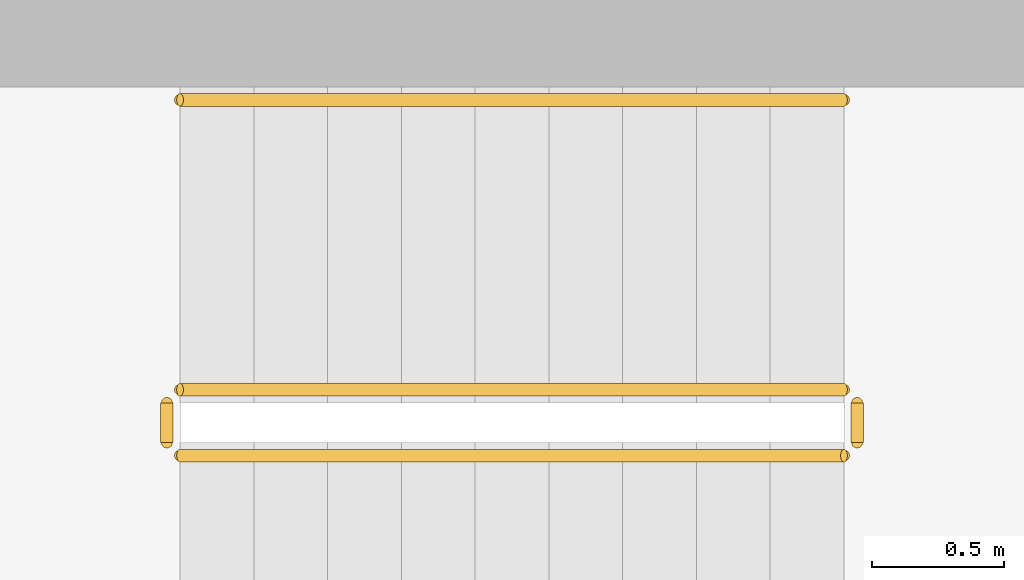
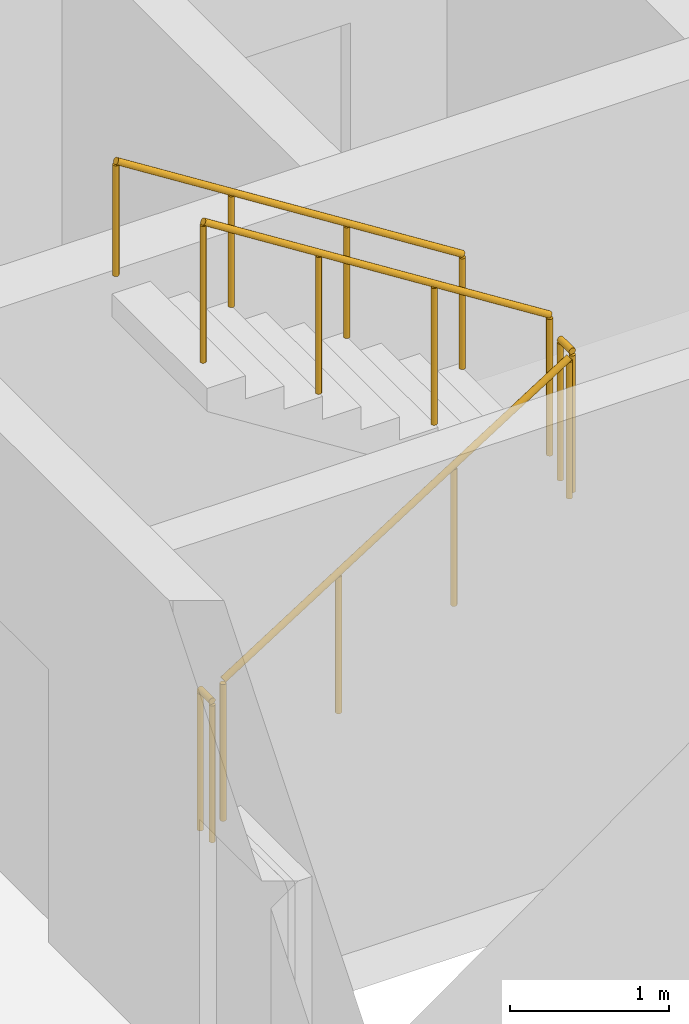
# One storey, part 15 of 17: 5 railings.
"""IFC4 building model written with IfcOpenShell, lengths in metres."""

import ifcopenshell
import ifcopenshell.guid

model = None  # the IFC model being written
_history = None  # IfcOwnerHistory: only IFC2X3 demands one
_inside = {}  # id of a spatial element -> (the spatial element, [elements in it])
_under = {}  # id of a project, library or spatial element -> (it, [spatial elements below it])
_declared = {}  # id of a project -> (the project, [libraries it declares])
_typed = {}  # id of a type object -> (the type object, [elements of that type])
_made_of = {}  # id of a material, layer set ... -> (it, [elements and type objects made of it])


def new_model(schema):
    """Start an empty IFC model of exactly this schema.

    Asked for "IFC4X3", IfcOpenShell would pick the latest addendum, in which some entities
    have other attributes; the version numbers below select the first issue.
    IFC2X3 requires an IfcOwnerHistory on every rooted entity: one is made here for all.
    """
    global model, _history
    if schema == "IFC4X3":
        model = ifcopenshell.file(schema_version=(4, 3, 0, 0))
    else:
        model = ifcopenshell.file(schema=schema)
    _inside.clear()
    _under.clear()
    _declared.clear()
    _typed.clear()
    _made_of.clear()
    _history = None
    if model.schema == "IFC2X3":
        org = make("IfcOrganization", Name="unknown")
        user = make(
            "IfcPersonAndOrganization",
            ThePerson=make("IfcPerson", FamilyName="unknown"),
            TheOrganization=org,
        )
        app = make(
            "IfcApplication",
            ApplicationDeveloper=org,
            Version="unknown",
            ApplicationFullName="unknown",
            ApplicationIdentifier="unknown",
        )
        _history = make(
            "IfcOwnerHistory",
            OwningUser=user,
            OwningApplication=app,
            ChangeAction="ADDED",
            CreationDate=0,
        )
    return model


def make(cls, **values):
    """One entity of the class cls with the attributes given. An attribute that is None is left unset."""
    return model.create_entity(
        cls, **{name: value for name, value in values.items() if value is not None}
    )


def rooted(cls, **values):
    """An entity with a GlobalId (a new one), such as an element, a storey or a relation."""
    return make(cls, GlobalId=ifcopenshell.guid.new(), OwnerHistory=_history, **values)


def si_unit(unit_type, name, prefix=None):
    """IfcSIUnit, for example si_unit("LENGTHUNIT", "METRE", prefix="MILLI")."""
    return make("IfcSIUnit", UnitType=unit_type, Prefix=prefix, Name=name)


def assignment(units):
    """IfcUnitAssignment: the units of a project."""
    return None if units is None else make("IfcUnitAssignment", Units=units)


def point(xyz):
    """IfcCartesianPoint."""
    return None if xyz is None else make("IfcCartesianPoint", Coordinates=xyz)


def direction(xyz):
    """IfcDirection."""
    return None if xyz is None else make("IfcDirection", DirectionRatios=xyz)


def frame(location, z_axis=None, x_axis=None):
    """IfcAxis2Placement3D, a coordinate frame: its origin and axes. An axis left out is left unset."""
    return make(
        "IfcAxis2Placement3D",
        Location=point(location),
        Axis=direction(z_axis),
        RefDirection=direction(x_axis),
    )


def frame_2d(location, x_axis=None):
    """IfcAxis2Placement2D, a coordinate frame in the plane: its origin and x axis."""
    return make(
        "IfcAxis2Placement2D", Location=point(location), RefDirection=direction(x_axis)
    )


def origin():
    """The frame at (0, 0, 0) with its axes left unset."""
    return frame((0.0, 0.0, 0.0))


def origin_2d():
    """The frame at (0, 0) in the plane with its x axis left unset."""
    return frame_2d((0.0, 0.0))


def place(relative_to, where):
    """IfcLocalPlacement: puts the frame where relative to a parent placement (None: the world)."""
    return make(
        "IfcLocalPlacement", PlacementRelTo=relative_to, RelativePlacement=where
    )


def context(
    kind, dimensions, precision=None, world=None, true_north=None, identifier=None
):
    """IfcGeometricRepresentationContext, for example the 3D "Model" context."""
    return make(
        "IfcGeometricRepresentationContext",
        ContextIdentifier=identifier,
        ContextType=kind,
        CoordinateSpaceDimension=dimensions,
        Precision=precision,
        WorldCoordinateSystem=world,
        TrueNorth=true_north,
    )


def subcontext(parent, identifier, kind, view, scale=None):
    """IfcGeometricRepresentationSubContext, for example "Body" below "Model"."""
    return make(
        "IfcGeometricRepresentationSubContext",
        ContextIdentifier=identifier,
        ContextType=kind,
        ParentContext=parent,
        TargetScale=scale,
        TargetView=view,
    )


def project(units=None, contexts=None):
    """IfcProject with its units and contexts."""
    return rooted(
        "IfcProject",
        Name="project",
        RepresentationContexts=contexts,
        UnitsInContext=assignment(units),
    )


def spatial(cls, under=None, at=None, **own):
    """A site, building, storey or space (cls), placed at a placement, below another one or the project."""
    s = rooted(cls, ObjectPlacement=at, **own)
    if under is not None:
        _under.setdefault(under.id(), (under, []))[1].append(s)
    return s


def profile(cls, at=None, kind="AREA", **sizes):
    """A parametric profile (cls). Its sizes go by their IFC names, for example OverallWidth=200.0."""
    return make(cls, ProfileType=kind, Position=at, **sizes)


def circle(**sizes):
    """IfcCircleProfileDef."""
    return profile("IfcCircleProfileDef", **sizes)


def extrude(swept, where, along, depth):
    """IfcExtrudedAreaSolid: the profile swept, set in the frame where, extruded along a direction by depth."""
    return make(
        "IfcExtrudedAreaSolid",
        SweptArea=swept,
        Position=where,
        ExtrudedDirection=direction(along),
        Depth=depth,
    )


def shape(context_of_items, identifier, shape_type, items):
    """IfcShapeRepresentation: the items that make up one representation, for example the "Body"."""
    return make(
        "IfcShapeRepresentation",
        ContextOfItems=context_of_items,
        RepresentationIdentifier=identifier,
        RepresentationType=shape_type,
        Items=items,
    )


def material(Name=None, Category=None):
    """IfcMaterial."""
    return make("IfcMaterial", Name=Name, Category=Category)


def made_of(thing, what):
    """Note that an element or type object is made of a material, layer set ...; save() writes the relation."""
    if what is not None:
        _made_of.setdefault(what.id(), (what, []))[1].append(thing)
    return thing


def type_object(cls, material=None, **own):
    """A type object (cls), such as IfcWallType, which elements share."""
    return made_of(rooted(cls, **own), material)


def element(
    cls,
    number,
    at=None,
    inside=None,
    cuts=None,
    type_object=None,
    material=None,
    context=None,
    identifier="Body",
    shape_type=None,
    held_by="IfcProductDefinitionShape",
    body=None,
    shapes=None,
    **own,
):
    """One element of the class cls, such as IfcWall. Its Tag is "e" and its number.

    at: its placement. inside: the storey or other place that contains it. cuts: it is an
    opening in that element (IfcRelVoidsElement). A single representation is given by context,
    identifier, shape_type and body (its items); several are given by shapes. held_by: the class
    of the entity that holds the representations. save() writes the other relations.
    """
    e = rooted(cls, Tag="e%d" % number, ObjectPlacement=at, **own)
    if body is not None:
        shapes = [shape(context, identifier, shape_type, body)]
    if shapes is not None:
        e.Representation = make(held_by, Representations=shapes)
    if inside is not None:
        _inside.setdefault(inside.id(), (inside, []))[1].append(e)
    if cuts is not None:
        rooted(
            "IfcRelVoidsElement", RelatingBuildingElement=cuts, RelatedOpeningElement=e
        )
    if type_object is not None:
        _typed.setdefault(type_object.id(), (type_object, []))[1].append(e)
    return made_of(e, material)


def aggregate(whole, parts):
    """IfcRelAggregates: a whole, such as a stair, and the parts it consists of."""
    return rooted("IfcRelAggregates", RelatingObject=whole, RelatedObjects=parts)


def save(model, path):
    """Write the relations noted so far, then the file.

    IfcRelAggregates (storeys below a building ...), IfcRelContainedInSpatialStructure (elements
    in a storey), IfcRelDefinesByType, IfcRelAssociatesMaterial and IfcRelDeclares: one each for
    every whole, place, type object, material and project.
    """
    for whole, parts in _under.values():
        aggregate(whole, parts)
    for where, things in _inside.values():
        rooted(
            "IfcRelContainedInSpatialStructure",
            RelatedElements=things,
            RelatingStructure=where,
        )
    for kind, things in _typed.values():
        rooted("IfcRelDefinesByType", RelatedObjects=things, RelatingType=kind)
    for what, things in _made_of.values():
        rooted("IfcRelAssociatesMaterial", RelatedObjects=things, RelatingMaterial=what)
    for by, libraries in _declared.values():
        rooted("IfcRelDeclares", RelatingContext=by, RelatedDefinitions=libraries)
    model.write(path)


model = new_model("IFC4")

# Units and contexts
model_context = context("Model", 3, precision=1e-05, world=origin(), true_north=direction((0.0, 1.0)))
body_context = subcontext(model_context, "Body", "Model", "MODEL_VIEW")
ifc_project = project(units=[si_unit("LENGTHUNIT", "METRE"), si_unit("AREAUNIT", "SQUARE_METRE"), si_unit("VOLUMEUNIT", "CUBIC_METRE"), si_unit("PLANEANGLEUNIT", "RADIAN"), si_unit("MASSUNIT", "GRAM", prefix="KILO")], contexts=[model_context])

# Site, building, storey
site_placement = place(None, origin())
site = spatial("IfcSite", under=ifc_project, at=site_placement, CompositionType="ELEMENT")
building_placement = place(site_placement, origin())
building = spatial("IfcBuilding", under=site, at=building_placement, Name="Ostrand Prow Hotel Tower", CompositionType="ELEMENT")
storey_placement = place(building_placement, frame((0.0, 0.0, 130.199951171875)))
storey = spatial("IfcBuildingStorey", under=building, at=storey_placement, Name="L31", CompositionType="ELEMENT", Elevation=130.199951171875)

# Railings
ifc_material_1 = material(Name="Painted steel", Category="steel")
railing_type_1 = type_object("IfcRailingType", Name="Stair guard 1100", PredefinedType="GUARDRAIL", material=ifc_material_1)
railing_1_placement = place(storey_placement, frame((57.199951171875, -11.75, 0.177490234375)))
element("IfcRailing", 1, at=railing_1_placement, inside=storey, type_object=railing_type_1, Name="L31 ST2C stair guard 1", PredefinedType="GUARDRAIL", context=body_context, shape_type="SweptSolid", body=[
    extrude(circle(Radius=0.02392578125, at=origin_2d()), frame((0.0, 0.0, 1.076171875), z_axis=(0.84456994832, 0.0, 0.535445237532), x_axis=(0.0, 1.0, 0.0)), (0.0, 0.0, 1.0), 2.98388671875),
    extrude(circle(Radius=0.02099609375, at=origin_2d()), origin(), (0.0, 0.0, 1.0), 1.052001953125),
    extrude(circle(Radius=0.02099609375, at=origin_2d()), frame((0.840087890625, 0.0, 0.532470703125)), (0.0, 0.0, 1.0), 1.052001953125),
    extrude(circle(Radius=0.02099609375, at=origin_2d()), frame((1.679931640625, 0.0, 1.065185546875)), (0.0, 0.0, 1.0), 1.052001953125),
    extrude(circle(Radius=0.02099609375, at=origin_2d()), frame((2.52001953125, 0.0, 1.59765625)), (0.0, 0.0, 1.0), 1.052001953125),
])
railing_2_placement = place(storey_placement, frame((59.77001953125, -11.699951171875, 1.775146484375)))
element("IfcRailing", 2, at=railing_2_placement, inside=storey, type_object=railing_type_1, Name="L31 ST2C stair guard 2", PredefinedType="GUARDRAIL", context=body_context, shape_type="SweptSolid", body=[
    extrude(circle(Radius=0.02392578125, at=origin_2d()), frame((0.0, 0.0, 1.076171875), z_axis=(0.0, 1.0, 0.0), x_axis=(-1.0, 0.0, 0.0)), (0.0, 0.0, 1.0), 0.14990234375),
    extrude(circle(Radius=0.02099609375, at=origin_2d()), origin(), (0.0, 0.0, 1.0), 1.052001953125),
    extrude(circle(Radius=0.02099609375, at=origin_2d()), frame((0.0, 0.14990234375, 0.0)), (0.0, 0.0, 1.0), 1.052001953125),
])
railing_3_placement = place(storey_placement, frame((59.719970703125, -11.5, 1.95263671875)))
element("IfcRailing", 3, at=railing_3_placement, inside=storey, type_object=railing_type_1, Name="L31 ST2C stair guard 3", PredefinedType="GUARDRAIL", context=body_context, shape_type="SweptSolid", body=[
    extrude(circle(Radius=0.02392578125, at=origin_2d()), frame((0.0, 0.0, 1.076171875), z_axis=(-0.84460694969, 0.0, 0.535386869969), x_axis=(0.0, -1.0, 0.0)), (0.0, 0.0, 1.0), 2.983642578125),
    extrude(circle(Radius=0.02099609375, at=origin_2d()), origin(), (0.0, 0.0, 1.0), 1.052001953125),
    extrude(circle(Radius=0.02099609375, at=origin_2d()), frame((-0.840087890625, 0.0, 0.532470703125)), (0.0, 0.0, 1.0), 1.052001953125),
    extrude(circle(Radius=0.02099609375, at=origin_2d()), frame((-1.679931640625, 0.0, 1.06494140625)), (0.0, 0.0, 1.0), 1.052001953125),
    extrude(circle(Radius=0.02099609375, at=origin_2d()), frame((-2.52001953125, 0.0, 1.597412109375)), (0.0, 0.0, 1.0), 1.052001953125),
])
railing_4_placement = place(storey_placement, frame((57.14990234375, -11.699951171875, 0.0)))
element("IfcRailing", 4, at=railing_4_placement, inside=storey, type_object=railing_type_1, Name="L31 ST2C stair guard 4", PredefinedType="GUARDRAIL", context=body_context, shape_type="SweptSolid", body=[
    extrude(circle(Radius=0.02392578125, at=origin_2d()), frame((0.0, 0.0, 1.076171875), z_axis=(0.0, 1.0, 0.0), x_axis=(-1.0, 0.0, 0.0)), (0.0, 0.0, 1.0), 0.14990234375),
    extrude(circle(Radius=0.02099609375, at=origin_2d()), origin(), (0.0, 0.0, 1.0), 1.052001953125),
    extrude(circle(Radius=0.02099609375, at=origin_2d()), frame((0.0, 0.14990234375, 0.0)), (0.0, 0.0, 1.0), 1.052001953125),
])
ifc_material_2 = material(Name="Stainless steel", Category="steel")
railing_type_2 = type_object("IfcRailingType", Name="Stair handrail 900", PredefinedType="HANDRAIL", material=ifc_material_2)
railing_5_placement = place(storey_placement, frame((59.719970703125, -10.39990234375, 1.95263671875)))
element("IfcRailing", 5, at=railing_5_placement, inside=storey, type_object=railing_type_2, Name="L31 ST2C stair handrail 2", PredefinedType="HANDRAIL", context=body_context, shape_type="SweptSolid", body=[
    extrude(circle(Radius=0.02392578125, at=origin_2d()), frame((0.0, 0.0, 0.8759765625), z_axis=(-0.84460694969, 0.0, 0.535386869969), x_axis=(0.0, -1.0, 0.0)), (0.0, 0.0, 1.0), 2.983642578125),
    extrude(circle(Radius=0.02099609375, at=origin_2d()), origin(), (0.0, 0.0, 1.0), 0.851806640625),
    extrude(circle(Radius=0.02099609375, at=origin_2d()), frame((-0.840087890625, 0.0, 0.532470703125)), (0.0, 0.0, 1.0), 0.851806640625),
    extrude(circle(Radius=0.02099609375, at=origin_2d()), frame((-1.679931640625, 0.0, 1.06494140625)), (0.0, 0.0, 1.0), 0.851806640625),
    extrude(circle(Radius=0.02099609375, at=origin_2d()), frame((-2.52001953125, 0.0, 1.597412109375)), (0.0, 0.0, 1.0), 0.851806640625),
])

save(model, "model.ifc")
